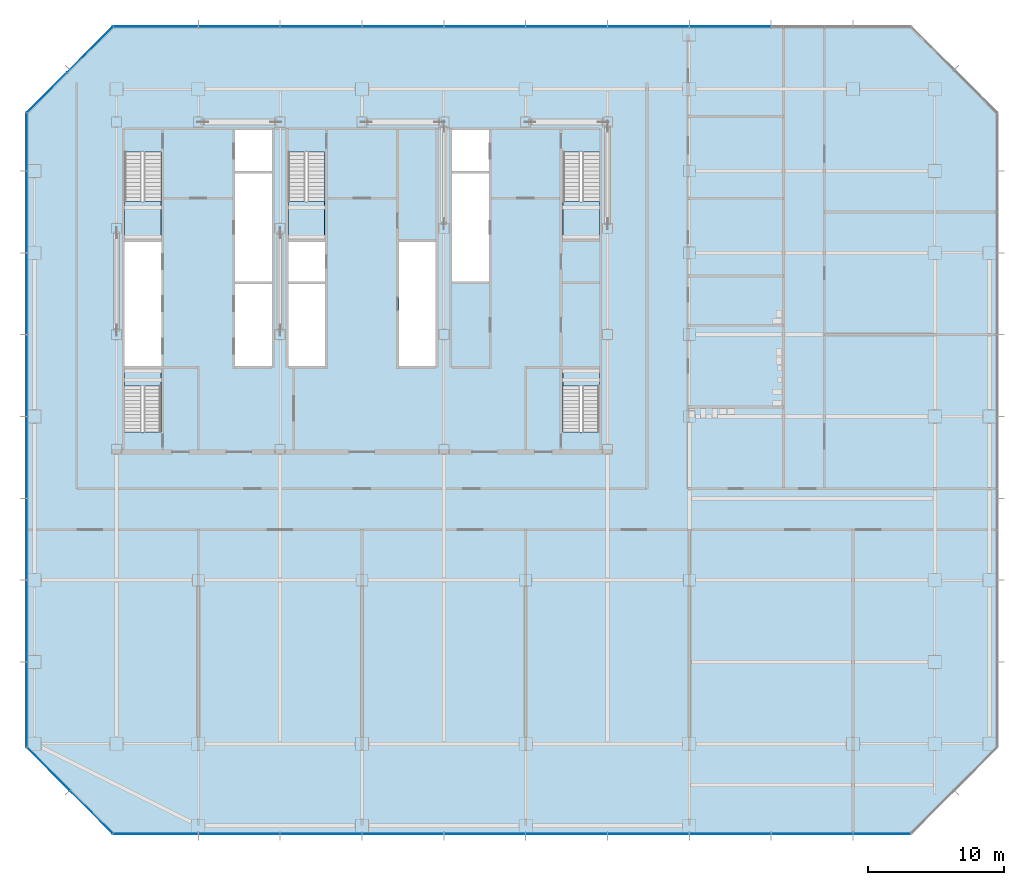
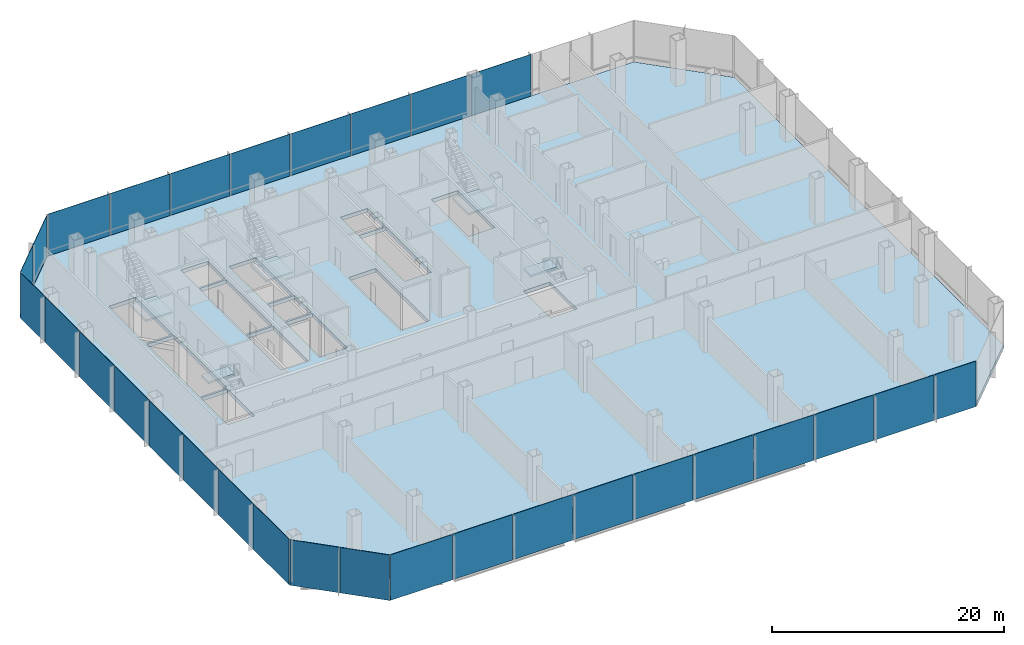
# One storey, part 20 of 33: 30 plates, 6 slabs, 10 elements without a shape of their own.
"""IFC4 building model written with IfcOpenShell, lengths in metres."""

from ifc_helpers import new_model, si_unit, direction, frame, origin, origin_2d, place, context, subcontext, project, spatial, polyline, rectangle, outline, extrude, material, layer, layer_set, type_object, element, aggregate, save


model = new_model("IFC4")

# Units and contexts
model_context = context("Model", 3, precision=1e-05, world=origin(), true_north=direction((0.0, 1.0)))
body_context = subcontext(model_context, "Body", "Model", "MODEL_VIEW")
ifc_project = project(units=[si_unit("LENGTHUNIT", "METRE"), si_unit("AREAUNIT", "SQUARE_METRE"), si_unit("VOLUMEUNIT", "CUBIC_METRE"), si_unit("PLANEANGLEUNIT", "RADIAN"), si_unit("MASSUNIT", "GRAM", prefix="KILO")], contexts=[model_context])

# Site, building, storey
site_placement = place(None, origin())
site = spatial("IfcSite", under=ifc_project, at=site_placement, CompositionType="ELEMENT")
building_placement = place(site_placement, origin())
building = spatial("IfcBuilding", under=site, at=building_placement, Name="Sorahane Residences", CompositionType="ELEMENT")
storey_placement = place(building_placement, frame((0.0, 0.0, 25.199951171875)))
storey = spatial("IfcBuildingStorey", under=building, at=storey_placement, Name="L03", CompositionType="ELEMENT", Elevation=25.199951171875)

# Slab
ifc_material_1 = material(Name="Concrete C35", Category="concrete")
ifc_layer_1 = layer(ifc_material_1, 0.39990234375)
ifc_layer_set_1 = layer_set([ifc_layer_1], Name="Composite floor slab 400 mm Concrete C35")
slab_type_1 = type_object("IfcSlabType", Name="Composite floor slab 400 mm Concrete C35", PredefinedType="FLOOR", material=ifc_layer_set_1)
slab_1_placement = place(storey_placement, frame((0.0, 0.0, -0.39990234375)))
element("IfcSlab", 1, at=slab_1_placement, inside=storey, type_object=slab_type_1, Name="Slab L03", PredefinedType="FLOOR", context=body_context, shape_type="SweptSolid", body=[
    extrude(outline(polyline([(5.75146484375, -6.60009765625), (-0.60009765625, -0.24853515625), (-0.60009765625, 46.24853515625), (5.75146484375, 52.60009765625), (64.24853515625, 52.60009765625), (70.60009765625, 46.24853515625), (70.60009765625, -0.24853515625), (64.24853515625, -6.60009765625), (5.75146484375, -6.60009765625)]), holes=[polyline([(18.60009765625, 27.699951171875), (21.300048828125, 27.699951171875), (21.300048828125, 33.699951171875), (18.60009765625, 33.699951171875), (18.60009765625, 27.699951171875)]), polyline([(30.60009765625, 42.0), (33.300048828125, 42.0), (33.300048828125, 45.0), (30.60009765625, 45.0), (30.60009765625, 42.0)]), polyline([(14.699951171875, 27.699951171875), (17.39990234375, 27.699951171875), (17.39990234375, 33.699951171875), (14.699951171875, 33.699951171875), (14.699951171875, 27.699951171875)]), polyline([(14.699951171875, 42.0), (17.39990234375, 42.0), (17.39990234375, 45.0), (14.699951171875, 45.0), (14.699951171875, 42.0)]), polyline([(6.60009765625, 27.699951171875), (9.300048828125, 27.699951171875), (9.300048828125, 36.800048828125), (6.60009765625, 36.800048828125), (6.60009765625, 27.699951171875)]), polyline([(6.60009765625, 43.39990234375), (6.60009765625, 37.0), (9.25, 37.0), (9.25, 43.39990234375), (6.60009765625, 43.39990234375)]), polyline([(38.75, 43.39990234375), (38.75, 37.0), (41.39990234375, 37.0), (41.39990234375, 43.39990234375), (38.75, 43.39990234375)]), polyline([(18.60009765625, 43.39990234375), (18.60009765625, 37.0), (21.25, 37.0), (21.25, 43.39990234375), (18.60009765625, 43.39990234375)]), polyline([(9.25, 22.85009765625), (9.25, 27.5), (6.60009765625, 27.5), (6.60009765625, 22.85009765625), (9.25, 22.85009765625)]), polyline([(41.39990234375, 22.85009765625), (41.39990234375, 27.5), (38.75, 27.5), (38.75, 22.85009765625), (41.39990234375, 22.85009765625)]), polyline([(14.699951171875, 33.89990234375), (17.39990234375, 33.89990234375), (17.39990234375, 41.800048828125), (14.699951171875, 41.800048828125), (14.699951171875, 33.89990234375)]), polyline([(30.60009765625, 33.89990234375), (33.300048828125, 33.89990234375), (33.300048828125, 41.800048828125), (30.60009765625, 41.800048828125), (30.60009765625, 33.89990234375)]), polyline([(18.60009765625, 33.89990234375), (21.300048828125, 33.89990234375), (21.300048828125, 36.800048828125), (18.60009765625, 36.800048828125), (18.60009765625, 33.89990234375)]), polyline([(26.699951171875, 27.699951171875), (29.39990234375, 27.699951171875), (29.39990234375, 36.800048828125), (26.699951171875, 36.800048828125), (26.699951171875, 27.699951171875)])]), origin(), (0.0, 0.0, 1.0), 0.39990234375),
])

# Curtain wall, plates
ifc_material_2 = material(Name="Dark low-e glass and black anodised aluminium", Category="aluminium")
curtain_wall_type = type_object("IfcCurtainWallType", Name="Curtain wall CW-3 Podium unitised wall", PredefinedType="NOTDEFINED", material=ifc_material_2)
curtain_wall_1_placement = place(storey_placement, origin())
curtain_wall_1 = element("IfcCurtainWall", 2, at=curtain_wall_1_placement, inside=storey, type_object=curtain_wall_type, Name="CW-3 curtain wall L03 S1", PredefinedType="NOTDEFINED")
ifc_material_3 = material(Name="Dark low-e glass with black ceramic frit", Category="glass")
ifc_layer_2 = layer(ifc_material_3, 0.0400390625)
ifc_layer_set_2 = layer_set([ifc_layer_2], Name="Curtain wall glass panel dark low-e podium with black frit spandrel band")
plate_type = type_object("IfcPlateType", Name="Curtain wall glass panel dark low-e podium with black frit spandrel band", PredefinedType="CURTAIN_PANEL", material=ifc_layer_set_2)
plate_1_placement = place(storey_placement, frame((8.88818359375, -6.60009765625, -0.39990234375), z_axis=(0.0, 0.0, 1.0), x_axis=(1.0, 0.0, 0.0)))
plate_1 = element("IfcPlate", 3, at=plate_1_placement, type_object=plate_type, Name="CW-3 glass panel L03 S1.1", PredefinedType="CURTAIN_PANEL", context=body_context, shape_type="SweptSolid", body=[
    extrude(rectangle(XDim=6.173583984375, YDim=0.0400390625, at=origin_2d()), origin(), (0.0, 0.0, 1.0), 4.800048828125),
])
plate_2_placement = place(storey_placement, frame((15.0, -6.60009765625, -0.39990234375), z_axis=(0.0, 0.0, 1.0), x_axis=(1.0, 0.0, 0.0)))
plate_2 = element("IfcPlate", 4, at=plate_2_placement, type_object=plate_type, Name="CW-3 glass panel L03 S1.2", PredefinedType="CURTAIN_PANEL", context=body_context, shape_type="SweptSolid", body=[
    extrude(rectangle(XDim=5.949951171875, YDim=0.0400390625, at=origin_2d()), origin(), (0.0, 0.0, 1.0), 4.800048828125),
])
plate_3_placement = place(storey_placement, frame((21.0, -6.60009765625, -0.39990234375), z_axis=(0.0, 0.0, 1.0), x_axis=(1.0, 0.0, 0.0)))
plate_3 = element("IfcPlate", 5, at=plate_3_placement, type_object=plate_type, Name="CW-3 glass panel L03 S1.3", PredefinedType="CURTAIN_PANEL", context=body_context, shape_type="SweptSolid", body=[
    extrude(rectangle(XDim=5.949951171875, YDim=0.0400390625, at=origin_2d()), origin(), (0.0, 0.0, 1.0), 4.800048828125),
])
plate_4_placement = place(storey_placement, frame((27.0, -6.60009765625, -0.39990234375), z_axis=(0.0, 0.0, 1.0), x_axis=(1.0, 0.0, 0.0)))
plate_4 = element("IfcPlate", 6, at=plate_4_placement, type_object=plate_type, Name="CW-3 glass panel L03 S1.4", PredefinedType="CURTAIN_PANEL", context=body_context, shape_type="SweptSolid", body=[
    extrude(rectangle(XDim=5.949951171875, YDim=0.0400390625, at=origin_2d()), origin(), (0.0, 0.0, 1.0), 4.800048828125),
])
plate_5_placement = place(storey_placement, frame((33.0, -6.60009765625, -0.39990234375), z_axis=(0.0, 0.0, 1.0), x_axis=(1.0, 0.0, 0.0)))
plate_5 = element("IfcPlate", 7, at=plate_5_placement, type_object=plate_type, Name="CW-3 glass panel L03 S1.5", PredefinedType="CURTAIN_PANEL", context=body_context, shape_type="SweptSolid", body=[
    extrude(rectangle(XDim=5.949951171875, YDim=0.0400390625, at=origin_2d()), origin(), (0.0, 0.0, 1.0), 4.800048828125),
])
plate_6_placement = place(storey_placement, frame((39.0, -6.60009765625, -0.39990234375), z_axis=(0.0, 0.0, 1.0), x_axis=(1.0, 0.0, 0.0)))
plate_6 = element("IfcPlate", 8, at=plate_6_placement, type_object=plate_type, Name="CW-3 glass panel L03 S1.6", PredefinedType="CURTAIN_PANEL", context=body_context, shape_type="SweptSolid", body=[
    extrude(rectangle(XDim=5.949951171875, YDim=0.0400390625, at=origin_2d()), origin(), (0.0, 0.0, 1.0), 4.800048828125),
])
plate_7_placement = place(storey_placement, frame((45.0, -6.60009765625, -0.39990234375), z_axis=(0.0, 0.0, 1.0), x_axis=(1.0, 0.0, 0.0)))
plate_7 = element("IfcPlate", 9, at=plate_7_placement, type_object=plate_type, Name="CW-3 glass panel L03 S1.7", PredefinedType="CURTAIN_PANEL", context=body_context, shape_type="SweptSolid", body=[
    extrude(rectangle(XDim=5.949951171875, YDim=0.0400390625, at=origin_2d()), origin(), (0.0, 0.0, 1.0), 4.800048828125),
])
plate_8_placement = place(storey_placement, frame((51.0, -6.60009765625, -0.39990234375), z_axis=(0.0, 0.0, 1.0), x_axis=(1.0, 0.0, 0.0)))
plate_8 = element("IfcPlate", 10, at=plate_8_placement, type_object=plate_type, Name="CW-3 glass panel L03 S1.8", PredefinedType="CURTAIN_PANEL", context=body_context, shape_type="SweptSolid", body=[
    extrude(rectangle(XDim=5.949951171875, YDim=0.0400390625, at=origin_2d()), origin(), (0.0, 0.0, 1.0), 4.800048828125),
])
plate_9_placement = place(storey_placement, frame((57.0, -6.60009765625, -0.39990234375), z_axis=(0.0, 0.0, 1.0), x_axis=(1.0, 0.0, 0.0)))
plate_9 = element("IfcPlate", 11, at=plate_9_placement, type_object=plate_type, Name="CW-3 glass panel L03 S1.9", PredefinedType="CURTAIN_PANEL", context=body_context, shape_type="SweptSolid", body=[
    extrude(rectangle(XDim=5.949951171875, YDim=0.0400390625, at=origin_2d()), origin(), (0.0, 0.0, 1.0), 4.800048828125),
])
plate_10_placement = place(storey_placement, frame((62.11181640625, -6.60009765625, -0.39990234375), z_axis=(0.0, 0.0, 1.0), x_axis=(1.0, 0.0, 0.0)))
plate_10 = element("IfcPlate", 12, at=plate_10_placement, type_object=plate_type, Name="CW-3 glass panel L03 S1.10", PredefinedType="CURTAIN_PANEL", context=body_context, shape_type="SweptSolid", body=[
    extrude(rectangle(XDim=4.173583984375, YDim=0.0400390625, at=origin_2d()), origin(), (0.0, 0.0, 1.0), 4.800048828125),
])
aggregate(curtain_wall_1, [plate_1, plate_2, plate_3, plate_4, plate_5, plate_6, plate_7, plate_8, plate_9, plate_10])

curtain_wall_2_placement = place(storey_placement, origin())
curtain_wall_2 = element("IfcCurtainWall", 13, at=curtain_wall_2_placement, inside=storey, type_object=curtain_wall_type, Name="CW-3 curtain wall L03 N1", PredefinedType="NOTDEFINED")
plate_11_placement = place(storey_placement, frame((51.0, 52.60009765625, -0.39990234375), z_axis=(0.0, 0.0, 1.0), x_axis=(-1.0, 0.0, 0.0)))
plate_11 = element("IfcPlate", 14, at=plate_11_placement, type_object=plate_type, Name="CW-3 glass panel L03 N1.5", PredefinedType="CURTAIN_PANEL", context=body_context, shape_type="SweptSolid", body=[
    extrude(rectangle(XDim=5.949951171875, YDim=0.0400390625, at=origin_2d()), origin(), (0.0, 0.0, 1.0), 4.800048828125),
])
plate_12_placement = place(storey_placement, frame((45.0, 52.60009765625, -0.39990234375), z_axis=(0.0, 0.0, 1.0), x_axis=(-1.0, 0.0, 0.0)))
plate_12 = element("IfcPlate", 15, at=plate_12_placement, type_object=plate_type, Name="CW-3 glass panel L03 N1.6", PredefinedType="CURTAIN_PANEL", context=body_context, shape_type="SweptSolid", body=[
    extrude(rectangle(XDim=5.949951171875, YDim=0.0400390625, at=origin_2d()), origin(), (0.0, 0.0, 1.0), 4.800048828125),
])
plate_13_placement = place(storey_placement, frame((39.0, 52.60009765625, -0.39990234375), z_axis=(0.0, 0.0, 1.0), x_axis=(-1.0, 0.0, 0.0)))
plate_13 = element("IfcPlate", 16, at=plate_13_placement, type_object=plate_type, Name="CW-3 glass panel L03 N1.7", PredefinedType="CURTAIN_PANEL", context=body_context, shape_type="SweptSolid", body=[
    extrude(rectangle(XDim=5.949951171875, YDim=0.0400390625, at=origin_2d()), origin(), (0.0, 0.0, 1.0), 4.800048828125),
])
plate_14_placement = place(storey_placement, frame((33.0, 52.60009765625, -0.39990234375), z_axis=(0.0, 0.0, 1.0), x_axis=(-1.0, 0.0, 0.0)))
plate_14 = element("IfcPlate", 17, at=plate_14_placement, type_object=plate_type, Name="CW-3 glass panel L03 N1.8", PredefinedType="CURTAIN_PANEL", context=body_context, shape_type="SweptSolid", body=[
    extrude(rectangle(XDim=5.949951171875, YDim=0.0400390625, at=origin_2d()), origin(), (0.0, 0.0, 1.0), 4.800048828125),
])
plate_15_placement = place(storey_placement, frame((27.0, 52.60009765625, -0.39990234375), z_axis=(0.0, 0.0, 1.0), x_axis=(-1.0, 0.0, 0.0)))
plate_15 = element("IfcPlate", 18, at=plate_15_placement, type_object=plate_type, Name="CW-3 glass panel L03 N1.9", PredefinedType="CURTAIN_PANEL", context=body_context, shape_type="SweptSolid", body=[
    extrude(rectangle(XDim=5.949951171875, YDim=0.0400390625, at=origin_2d()), origin(), (0.0, 0.0, 1.0), 4.800048828125),
])
plate_16_placement = place(storey_placement, frame((21.0, 52.60009765625, -0.39990234375), z_axis=(0.0, 0.0, 1.0), x_axis=(-1.0, 0.0, 0.0)))
plate_16 = element("IfcPlate", 19, at=plate_16_placement, type_object=plate_type, Name="CW-3 glass panel L03 N1.10", PredefinedType="CURTAIN_PANEL", context=body_context, shape_type="SweptSolid", body=[
    extrude(rectangle(XDim=5.949951171875, YDim=0.0400390625, at=origin_2d()), origin(), (0.0, 0.0, 1.0), 4.800048828125),
])
plate_17_placement = place(storey_placement, frame((15.0, 52.60009765625, -0.39990234375), z_axis=(0.0, 0.0, 1.0), x_axis=(-1.0, 0.0, 0.0)))
plate_17 = element("IfcPlate", 20, at=plate_17_placement, type_object=plate_type, Name="CW-3 glass panel L03 N1.11", PredefinedType="CURTAIN_PANEL", context=body_context, shape_type="SweptSolid", body=[
    extrude(rectangle(XDim=5.949951171875, YDim=0.0400390625, at=origin_2d()), origin(), (0.0, 0.0, 1.0), 4.800048828125),
])
plate_18_placement = place(storey_placement, frame((8.88818359375, 52.60009765625, -0.39990234375), z_axis=(0.0, 0.0, 1.0), x_axis=(-1.0, 0.0, 0.0)))
plate_18 = element("IfcPlate", 21, at=plate_18_placement, type_object=plate_type, Name="CW-3 glass panel L03 N1.12", PredefinedType="CURTAIN_PANEL", context=body_context, shape_type="SweptSolid", body=[
    extrude(rectangle(XDim=6.173583984375, YDim=0.0400390625, at=origin_2d()), origin(), (0.0, 0.0, 1.0), 4.800048828125),
])
aggregate(curtain_wall_2, [plate_11, plate_12, plate_13, plate_14, plate_15, plate_16, plate_17, plate_18])

curtain_wall_3_placement = place(storey_placement, origin())
curtain_wall_3 = element("IfcCurtainWall", 22, at=curtain_wall_3_placement, inside=storey, type_object=curtain_wall_type, Name="CW-3 curtain wall L03 NW1", PredefinedType="NOTDEFINED")
plate_19_placement = place(storey_placement, frame((4.0546875, 50.9033203125, -0.39990234375), z_axis=(0.0, 0.0, 1.0), x_axis=(-0.707106781187, -0.707106781187, 0.0)))
plate_19 = element("IfcPlate", 23, at=plate_19_placement, type_object=plate_type, Name="CW-3 glass panel L03 NW1.1", PredefinedType="CURTAIN_PANEL", context=body_context, shape_type="SweptSolid", body=[
    extrude(rectangle(XDim=4.698974609375, YDim=0.0400390625, at=origin_2d()), origin(), (0.0, 0.0, 1.0), 4.800048828125),
])
plate_20_placement = place(storey_placement, frame((0.896728515625, 47.7451171875, -0.39990234375), z_axis=(0.0, 0.0, 1.0), x_axis=(-0.707106781187, -0.707106781187, 0.0)))
plate_20 = element("IfcPlate", 24, at=plate_20_placement, type_object=plate_type, Name="CW-3 glass panel L03 NW1.2", PredefinedType="CURTAIN_PANEL", context=body_context, shape_type="SweptSolid", body=[
    extrude(rectangle(XDim=4.13330078125, YDim=0.0400390625, at=origin_2d()), origin(), (0.0, 0.0, 1.0), 4.800048828125),
])
aggregate(curtain_wall_3, [plate_19, plate_20])

curtain_wall_4_placement = place(storey_placement, origin())
curtain_wall_4 = element("IfcCurtainWall", 25, at=curtain_wall_4_placement, inside=storey, type_object=curtain_wall_type, Name="CW-3 curtain wall L03 W1", PredefinedType="NOTDEFINED")
plate_21_placement = place(storey_placement, frame((-0.60009765625, 44.11181640625, -0.39990234375), z_axis=(0.0, 0.0, 1.0), x_axis=(0.0, -1.0, 0.0)))
plate_21 = element("IfcPlate", 26, at=plate_21_placement, type_object=plate_type, Name="CW-3 glass panel L03 W1.1", PredefinedType="CURTAIN_PANEL", context=body_context, shape_type="SweptSolid", body=[
    extrude(rectangle(XDim=4.173583984375, YDim=0.0400390625, at=origin_2d()), origin(), (0.0, 0.0, 1.0), 4.800048828125),
])
plate_22_placement = place(storey_placement, frame((-0.60009765625, 39.0, -0.39990234375), z_axis=(0.0, 0.0, 1.0), x_axis=(0.0, -1.0, 0.0)))
plate_22 = element("IfcPlate", 27, at=plate_22_placement, type_object=plate_type, Name="CW-3 glass panel L03 W1.2", PredefinedType="CURTAIN_PANEL", context=body_context, shape_type="SweptSolid", body=[
    extrude(rectangle(XDim=5.949951171875, YDim=0.0400390625, at=origin_2d()), origin(), (0.0, 0.0, 1.0), 4.800048828125),
])
plate_23_placement = place(storey_placement, frame((-0.60009765625, 33.0, -0.39990234375), z_axis=(0.0, 0.0, 1.0), x_axis=(0.0, -1.0, 0.0)))
plate_23 = element("IfcPlate", 28, at=plate_23_placement, type_object=plate_type, Name="CW-3 glass panel L03 W1.3", PredefinedType="CURTAIN_PANEL", context=body_context, shape_type="SweptSolid", body=[
    extrude(rectangle(XDim=5.949951171875, YDim=0.0400390625, at=origin_2d()), origin(), (0.0, 0.0, 1.0), 4.800048828125),
])
plate_24_placement = place(storey_placement, frame((-0.60009765625, 27.0, -0.39990234375), z_axis=(0.0, 0.0, 1.0), x_axis=(0.0, -1.0, 0.0)))
plate_24 = element("IfcPlate", 29, at=plate_24_placement, type_object=plate_type, Name="CW-3 glass panel L03 W1.4", PredefinedType="CURTAIN_PANEL", context=body_context, shape_type="SweptSolid", body=[
    extrude(rectangle(XDim=5.949951171875, YDim=0.0400390625, at=origin_2d()), origin(), (0.0, 0.0, 1.0), 4.800048828125),
])
plate_25_placement = place(storey_placement, frame((-0.60009765625, 21.0, -0.39990234375), z_axis=(0.0, 0.0, 1.0), x_axis=(0.0, -1.0, 0.0)))
plate_25 = element("IfcPlate", 30, at=plate_25_placement, type_object=plate_type, Name="CW-3 glass panel L03 W1.5", PredefinedType="CURTAIN_PANEL", context=body_context, shape_type="SweptSolid", body=[
    extrude(rectangle(XDim=5.949951171875, YDim=0.0400390625, at=origin_2d()), origin(), (0.0, 0.0, 1.0), 4.800048828125),
])
plate_26_placement = place(storey_placement, frame((-0.60009765625, 15.0, -0.39990234375), z_axis=(0.0, 0.0, 1.0), x_axis=(0.0, -1.0, 0.0)))
plate_26 = element("IfcPlate", 31, at=plate_26_placement, type_object=plate_type, Name="CW-3 glass panel L03 W1.6", PredefinedType="CURTAIN_PANEL", context=body_context, shape_type="SweptSolid", body=[
    extrude(rectangle(XDim=5.949951171875, YDim=0.0400390625, at=origin_2d()), origin(), (0.0, 0.0, 1.0), 4.800048828125),
])
plate_27_placement = place(storey_placement, frame((-0.60009765625, 9.0, -0.39990234375), z_axis=(0.0, 0.0, 1.0), x_axis=(0.0, -1.0, 0.0)))
plate_27 = element("IfcPlate", 32, at=plate_27_placement, type_object=plate_type, Name="CW-3 glass panel L03 W1.7", PredefinedType="CURTAIN_PANEL", context=body_context, shape_type="SweptSolid", body=[
    extrude(rectangle(XDim=5.949951171875, YDim=0.0400390625, at=origin_2d()), origin(), (0.0, 0.0, 1.0), 4.800048828125),
])
plate_28_placement = place(storey_placement, frame((-0.60009765625, 2.88818359375, -0.39990234375), z_axis=(0.0, 0.0, 1.0), x_axis=(0.0, -1.0, 0.0)))
plate_28 = element("IfcPlate", 33, at=plate_28_placement, type_object=plate_type, Name="CW-3 glass panel L03 W1.8", PredefinedType="CURTAIN_PANEL", context=body_context, shape_type="SweptSolid", body=[
    extrude(rectangle(XDim=6.173583984375, YDim=0.0400390625, at=origin_2d()), origin(), (0.0, 0.0, 1.0), 4.800048828125),
])
aggregate(curtain_wall_4, [plate_21, plate_22, plate_23, plate_24, plate_25, plate_26, plate_27, plate_28])

curtain_wall_5_placement = place(storey_placement, origin())
curtain_wall_5 = element("IfcCurtainWall", 34, at=curtain_wall_5_placement, inside=storey, type_object=curtain_wall_type, Name="CW-3 curtain wall L03 SW1", PredefinedType="NOTDEFINED")
plate_29_placement = place(storey_placement, frame((0.996826171875, -1.84521484375, -0.39990234375), z_axis=(0.0, 0.0, 1.0), x_axis=(0.707106781187, -0.707106781187, 0.0)))
plate_29 = element("IfcPlate", 35, at=plate_29_placement, type_object=plate_type, Name="CW-3 glass panel L03 SW1.1", PredefinedType="CURTAIN_PANEL", context=body_context, shape_type="SweptSolid", body=[
    extrude(rectangle(XDim=4.416259765625, YDim=0.0400390625, at=origin_2d()), origin(), (0.0, 0.0, 1.0), 4.800048828125),
])
plate_30_placement = place(storey_placement, frame((4.15478515625, -5.003173828125, -0.39990234375), z_axis=(0.0, 0.0, 1.0), x_axis=(0.707106781187, -0.707106781187, 0.0)))
plate_30 = element("IfcPlate", 36, at=plate_30_placement, type_object=plate_type, Name="CW-3 glass panel L03 SW1.2", PredefinedType="CURTAIN_PANEL", context=body_context, shape_type="SweptSolid", body=[
    extrude(rectangle(XDim=4.416259765625, YDim=0.0400390625, at=origin_2d()), origin(), (0.0, 0.0, 1.0), 4.800048828125),
])
aggregate(curtain_wall_5, [plate_29, plate_30])

# Stair, slab
ifc_material_4 = material(Name="Concrete C40", Category="concrete")
stair_type = type_object("IfcStairType", Name="Dog-leg stair 1250 Concrete C40", PredefinedType="HALF_TURN_STAIR", material=ifc_material_4)
stair_1_placement = place(storey_placement, origin())
stair_1 = element("IfcStair", 37, at=stair_1_placement, inside=storey, type_object=stair_type, Name="L03 Stair S1", PredefinedType="HALF_TURN_STAIR")
ifc_material_5 = material(Name="Concrete C40", Category="concrete")
ifc_layer_3 = layer(ifc_material_5, 0.199951171875)
ifc_layer_set_3 = layer_set([ifc_layer_3], Name="Stair landing 200 Concrete C40")
slab_type_2 = type_object("IfcSlabType", Name="Stair landing 200 Concrete C40", PredefinedType="LANDING", material=ifc_layer_set_3)
slab_2_placement = place(storey_placement, frame((0.0, 0.0, 2.199951171875)))
slab_2 = element("IfcSlab", 38, at=slab_2_placement, type_object=slab_type_2, Name="S1 landing 1", PredefinedType="LANDING", context=body_context, shape_type="SweptSolid", body=[
    extrude(outline(polyline([(6.60009765625, 39.760009765625), (6.60009765625, 37.0), (9.25, 37.0), (9.25, 39.760009765625), (6.60009765625, 39.760009765625)])), origin(), (0.0, 0.0, 1.0), 0.2001953125),
])
aggregate(stair_1, [slab_2])

stair_2_placement = place(storey_placement, origin())
stair_2 = element("IfcStair", 39, at=stair_2_placement, inside=storey, type_object=stair_type, Name="L03 Stair S2", PredefinedType="HALF_TURN_STAIR")
slab_3_placement = place(storey_placement, frame((0.0, 0.0, 2.199951171875)))
slab_3 = element("IfcSlab", 40, at=slab_3_placement, type_object=slab_type_2, Name="S2 landing 1", PredefinedType="LANDING", context=body_context, shape_type="SweptSolid", body=[
    extrude(outline(polyline([(38.75, 39.760009765625), (38.75, 37.0), (41.39990234375, 37.0), (41.39990234375, 39.760009765625), (38.75, 39.760009765625)])), origin(), (0.0, 0.0, 1.0), 0.2001953125),
])
aggregate(stair_2, [slab_3])

stair_3_placement = place(storey_placement, origin())
stair_3 = element("IfcStair", 41, at=stair_3_placement, inside=storey, type_object=stair_type, Name="L03 Stair S3", PredefinedType="HALF_TURN_STAIR")
slab_4_placement = place(storey_placement, frame((0.0, 0.0, 2.199951171875)))
slab_4 = element("IfcSlab", 42, at=slab_4_placement, type_object=slab_type_2, Name="S3 landing 1", PredefinedType="LANDING", context=body_context, shape_type="SweptSolid", body=[
    extrude(outline(polyline([(18.60009765625, 39.760009765625), (18.60009765625, 37.0), (21.25, 37.0), (21.25, 39.760009765625), (18.60009765625, 39.760009765625)])), origin(), (0.0, 0.0, 1.0), 0.2001953125),
])
aggregate(stair_3, [slab_4])

stair_4_placement = place(storey_placement, origin())
stair_4 = element("IfcStair", 43, at=stair_4_placement, inside=storey, type_object=stair_type, Name="L03 Stair S4", PredefinedType="HALF_TURN_STAIR")
slab_5_placement = place(storey_placement, frame((0.0, 0.0, 2.199951171875)))
slab_5 = element("IfcSlab", 44, at=slab_5_placement, type_object=slab_type_2, Name="S4 landing 1", PredefinedType="LANDING", context=body_context, shape_type="SweptSolid", body=[
    extrude(outline(polyline([(9.25, 26.22998046875), (9.25, 27.5), (6.60009765625, 27.5), (6.60009765625, 26.22998046875), (9.25, 26.22998046875)])), origin(), (0.0, 0.0, 1.0), 0.2001953125),
])
aggregate(stair_4, [slab_5])

stair_5_placement = place(storey_placement, origin())
stair_5 = element("IfcStair", 45, at=stair_5_placement, inside=storey, type_object=stair_type, Name="L03 Stair S5", PredefinedType="HALF_TURN_STAIR")
slab_6_placement = place(storey_placement, frame((0.0, 0.0, 2.199951171875)))
slab_6 = element("IfcSlab", 46, at=slab_6_placement, type_object=slab_type_2, Name="S5 landing 1", PredefinedType="LANDING", context=body_context, shape_type="SweptSolid", body=[
    extrude(outline(polyline([(41.39990234375, 26.22998046875), (41.39990234375, 27.5), (38.75, 27.5), (38.75, 26.22998046875), (41.39990234375, 26.22998046875)])), origin(), (0.0, 0.0, 1.0), 0.2001953125),
])
aggregate(stair_5, [slab_6])

save(model, "model.ifc")
